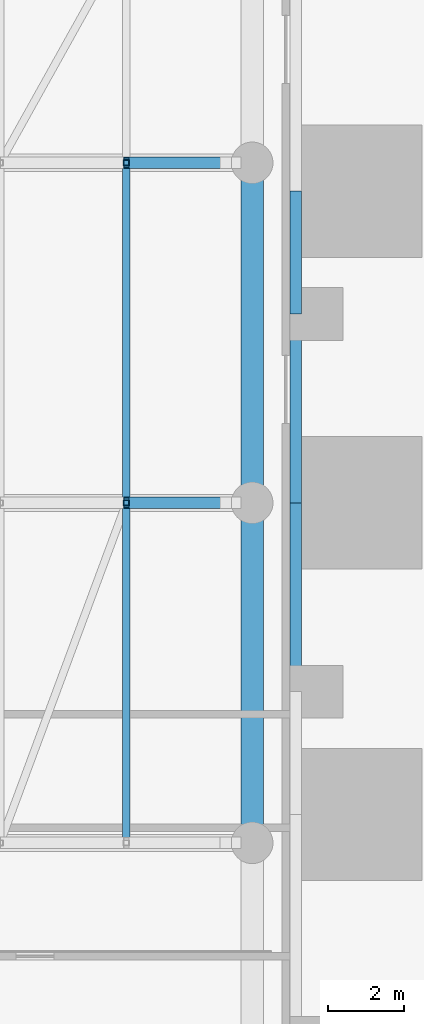
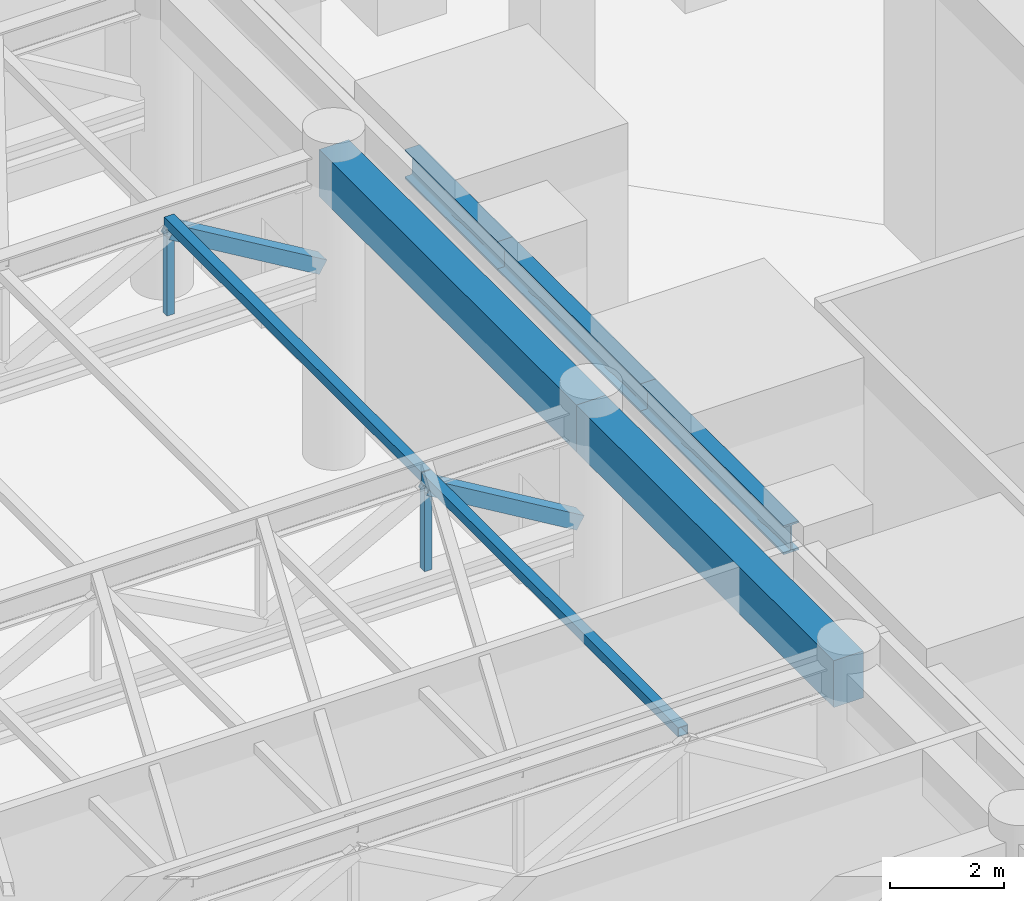
# One storey, part 7 of 30: 6 members, 5 beams.
"""IFC4 building model written with IfcOpenShell, lengths in metres."""

from ifc_helpers import new_model, si_unit, direction, frame, origin, origin_2d, place, context, subcontext, project, spatial, rectangle, hollow_rectangle, i_section, extrude, material, material_profile, profile_set, type_object, element, save


model = new_model("IFC4")

# Units and contexts
model_context = context("Model", 3, precision=1e-05, world=origin(), true_north=direction((0.0, 1.0)))
body_context = subcontext(model_context, "Body", "Model", "MODEL_VIEW")
ifc_project = project(units=[si_unit("LENGTHUNIT", "METRE"), si_unit("AREAUNIT", "SQUARE_METRE"), si_unit("VOLUMEUNIT", "CUBIC_METRE"), si_unit("PLANEANGLEUNIT", "RADIAN"), si_unit("MASSUNIT", "GRAM", prefix="KILO")], contexts=[model_context])

# Site, building, storey
site_placement = place(None, origin())
site = spatial("IfcSite", under=ifc_project, at=site_placement, CompositionType="ELEMENT")
building_placement = place(site_placement, origin())
building = spatial("IfcBuilding", under=site, at=building_placement, Name="Svetlomir Tower", CompositionType="ELEMENT")
storey_placement = place(building_placement, frame((0.0, 0.0, 11.0)))
storey = spatial("IfcBuildingStorey", under=building, at=storey_placement, Name="L02", CompositionType="ELEMENT", Elevation=11.0)

# Members
ifc_material_1 = material(Name="Steel S355", Category="steel")
ifc_material_profile_1 = material_profile(ifc_material_1, hollow_rectangle(XDim=0.300048828125, YDim=0.300048828125, WallThickness=0.02001953125, at=origin_2d()), Name="SHS 300x300x20")
ifc_profile_set_1 = profile_set([ifc_material_profile_1], Name="Steel S355")
member_type_1 = type_object("IfcMemberType", Name="AUDITORIUM TRUSS DIAGONAL SHS 300x300x20", PredefinedType="BRACE", material=ifc_profile_set_1)
for number, where, z_axis, x_axis, name in (
    (1, (-4.333251953125, 21.0, 5.97998046875), (0.859300122136, 0.0, -0.511471700193), (0.0, 1.0, 0.0), "Auditorium truss 21 diagonal 6"),
    (2, (-4.333251953125, 30.0, 5.97998046875), (0.859300122136, 0.0, -0.511471700193), (0.0, 1.0, 0.0), "Auditorium truss 30 diagonal 6"),
):
    element("IfcMember", number, at=place(storey_placement, frame(where, z_axis=z_axis, x_axis=x_axis)), inside=storey, type_object=member_type_1, Name=name, PredefinedType="BRACE", context=body_context, shape_type="SweptSolid", body=[
        extrude(hollow_rectangle(XDim=0.300048828125, YDim=0.300048828125, WallThickness=0.02001953125, at=origin_2d()), origin(), (0.0, 0.0, 1.0), 3.52978515625),
    ])
ifc_material_2 = material(Name="Steel S355", Category="steel")
ifc_material_profile_2 = material_profile(ifc_material_2, hollow_rectangle(XDim=0.199951171875, YDim=0.199951171875, WallThickness=0.010009765625, at=origin_2d()), Name="SHS 200x200x10")
ifc_profile_set_2 = profile_set([ifc_material_profile_2], Name="Steel S355")
member_type_2 = type_object("IfcMemberType", Name="AUDITORIUM TRUSS PLAN TIE SHS 200x200x10", PredefinedType="BRACE", material=ifc_profile_set_2)
for number, where, z_axis, x_axis, name in (
    (3, (-4.333251953125, 12.010498046875, 6.159912109375), (0.0, 1.0, 0.0), (-1.0, 0.0, 0.0), "Auditorium truss plan tie 5 grid 12 to 21"),
    (4, (-4.333251953125, 21.010498046875, 6.159912109375), (0.0, 1.0, 0.0), (-1.0, 0.0, 0.0), "Auditorium truss plan tie 5 grid 21 to 30"),
):
    element("IfcMember", number, at=place(storey_placement, frame(where, z_axis=z_axis, x_axis=x_axis)), inside=storey, type_object=member_type_2, Name=name, PredefinedType="BRACE", context=body_context, shape_type="SweptSolid", body=[
        extrude(hollow_rectangle(XDim=0.199951171875, YDim=0.199951171875, WallThickness=0.010009765625, at=origin_2d()), origin(), (0.0, 0.0, 1.0), 8.97900390625),
    ])
ifc_material_3 = material(Name="Steel S355", Category="steel")
ifc_material_profile_3 = material_profile(ifc_material_3, hollow_rectangle(XDim=0.14990234375, YDim=0.14990234375, WallThickness=0.008056640625, at=origin_2d()), Name="SHS 150x150x8")
ifc_profile_set_3 = profile_set([ifc_material_profile_3], Name="Steel S355")
member_type_3 = type_object("IfcMemberType", Name="AUDITORIUM TRUSS POST SHS 150x150x8", PredefinedType="POST", material=ifc_profile_set_3)
for number, where, z_axis, x_axis, name in (
    (5, (-4.333251953125, 21.0, 4.174560546875), (0.0, 0.0, 1.0), (1.0, 0.0, 0.0), "Auditorium truss 21 post 5"),
    (6, (-4.333251953125, 30.0, 4.174560546875), (0.0, 0.0, 1.0), (1.0, 0.0, 0.0), "Auditorium truss 30 post 5"),
):
    element("IfcMember", number, at=place(storey_placement, frame(where, z_axis=z_axis, x_axis=x_axis)), inside=storey, type_object=member_type_3, Name=name, PredefinedType="POST", context=body_context, shape_type="SweptSolid", body=[
        extrude(hollow_rectangle(XDim=0.14990234375, YDim=0.14990234375, WallThickness=0.008056640625, at=origin_2d()), origin(), (0.0, 0.0, 1.0), 1.805419921875),
    ])

# Beams
ifc_material_4 = material(Name="Concrete C60/75", Category="concrete")
ifc_material_profile_4 = material_profile(ifc_material_4, rectangle(XDim=0.60009765625, YDim=1.0, at=origin_2d()), Name="RC 600x1000")
ifc_profile_set_4 = profile_set([ifc_material_profile_4], Name="Concrete C60/75")
beam_type_1 = type_object("IfcBeamType", Name="PODIUM BEAM RC 600x1000", PredefinedType="BEAM", material=ifc_profile_set_4)
for number, where, z_axis, x_axis, name in (
    (7, (-1.0, 12.0, 6.10009765625), (0.0, 1.0, 0.0), (-1.0, 0.0, 0.0), "Podium beam -1/12 to -1/21 under L03"),
    (8, (-1.0, 21.0, 6.10009765625), (0.0, 1.0, 0.0), (-1.0, 0.0, 0.0), "Podium beam -1/21 to -1/30 under L03"),
):
    element("IfcBeam", number, at=place(storey_placement, frame(where, z_axis=z_axis, x_axis=x_axis)), inside=storey, type_object=beam_type_1, Name=name, PredefinedType="BEAM", context=body_context, shape_type="SweptSolid", body=[
        extrude(rectangle(XDim=0.60009765625, YDim=1.0, at=origin_2d()), origin(), (0.0, 0.0, 1.0), 9.0),
    ])
ifc_material_5 = material(Name="Steel S355", Category="steel")
ifc_material_profile_5 = material_profile(ifc_material_5, i_section(OverallWidth=0.304931640625, OverallDepth=0.6201171875, WebThickness=0.02099609375, FlangeThickness=0.0400390625, FilletRadius=0.027099609375, at=origin_2d()), Name="HEM 600")
ifc_profile_set_5 = profile_set([ifc_material_profile_5], Name="Steel S355")
beam_type_2 = type_object("IfcBeamType", Name="PODIUM EDGE BEAM HEM 600", PredefinedType="BEAM", material=ifc_profile_set_5)
for number, where, z_axis, x_axis, name in (
    (9, (0.152587890625, 16.0, 6.2900390625), (0.0, 1.0, 0.0), (-1.0, 0.0, 0.0), "Podium beam 0/16 to 0/21 under L03"),
    (10, (0.152587890625, 21.0, 6.2900390625), (0.0, 1.0, 0.0), (-1.0, 0.0, 0.0), "Podium beam 0/21 to 0/26 under L03"),
):
    element("IfcBeam", number, at=place(storey_placement, frame(where, z_axis=z_axis, x_axis=x_axis)), inside=storey, type_object=beam_type_2, Name=name, PredefinedType="BEAM", context=body_context, shape_type="SweptSolid", body=[
        extrude(i_section(OverallWidth=0.304931640625, OverallDepth=0.6201171875, WebThickness=0.02099609375, FlangeThickness=0.0400390625, FilletRadius=0.027099609375, at=origin_2d()), origin(), (0.0, 0.0, 1.0), 5.0),
    ])
beam_placement = place(storey_placement, frame((0.152587890625, 26.0, 6.2900390625), z_axis=(0.0, 1.0, 0.0), x_axis=(-1.0, 0.0, 0.0)))
element("IfcBeam", 11, at=beam_placement, inside=storey, type_object=beam_type_2, Name="Podium beam 0/26 to 0/31 under L03", PredefinedType="BEAM", context=body_context, shape_type="SweptSolid", body=[
    extrude(i_section(OverallWidth=0.304931640625, OverallDepth=0.6201171875, WebThickness=0.02099609375, FlangeThickness=0.0400390625, FilletRadius=0.027099609375, at=origin_2d()), origin(), (0.0, 0.0, 1.0), 3.25),
])

save(model, "model.ifc")
